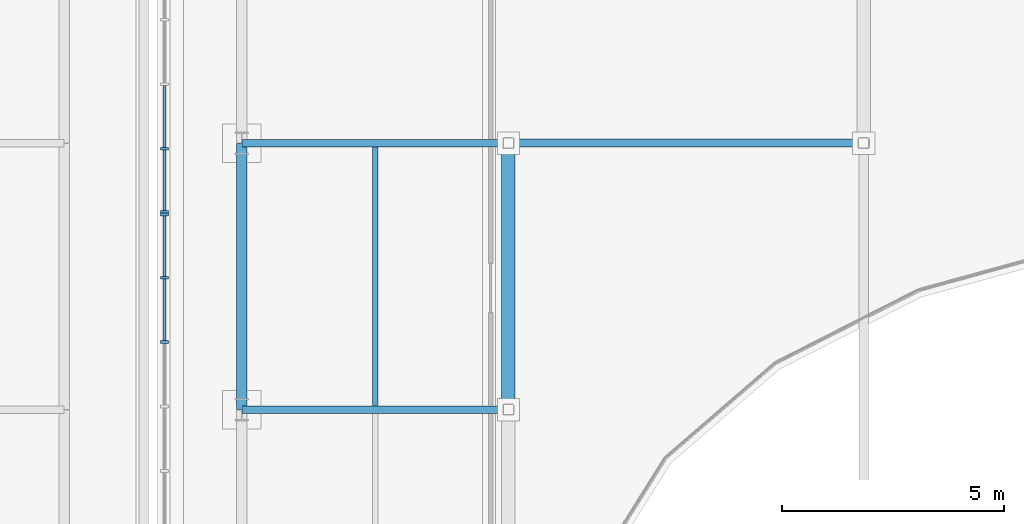
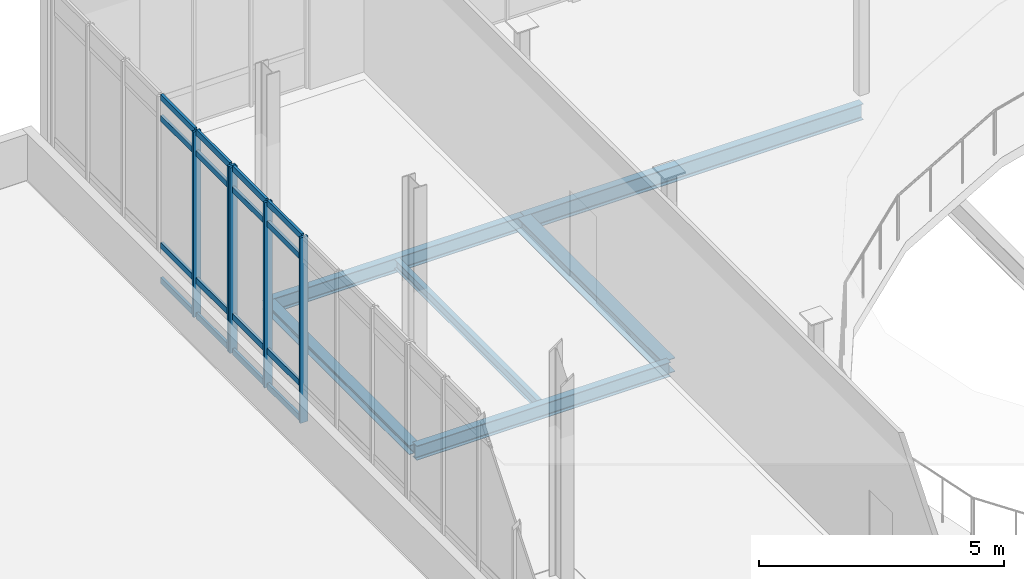
# One storey, part 15 of 86: 21 members, 6 beams, 2 elements without a shape of their own.
"""IFC4 building model written with IfcOpenShell, lengths in metres."""

import ifcopenshell
import ifcopenshell.guid

model = None  # the IFC model being written
_history = None  # IfcOwnerHistory: only IFC2X3 demands one
_inside = {}  # id of a spatial element -> (the spatial element, [elements in it])
_under = {}  # id of a project, library or spatial element -> (it, [spatial elements below it])
_declared = {}  # id of a project -> (the project, [libraries it declares])
_typed = {}  # id of a type object -> (the type object, [elements of that type])
_made_of = {}  # id of a material, layer set ... -> (it, [elements and type objects made of it])


def new_model(schema):
    """Start an empty IFC model of exactly this schema.

    Asked for "IFC4X3", IfcOpenShell would pick the latest addendum, in which some entities
    have other attributes; the version numbers below select the first issue.
    IFC2X3 requires an IfcOwnerHistory on every rooted entity: one is made here for all.
    """
    global model, _history
    if schema == "IFC4X3":
        model = ifcopenshell.file(schema_version=(4, 3, 0, 0))
    else:
        model = ifcopenshell.file(schema=schema)
    _inside.clear()
    _under.clear()
    _declared.clear()
    _typed.clear()
    _made_of.clear()
    _history = None
    if model.schema == "IFC2X3":
        org = make("IfcOrganization", Name="unknown")
        user = make(
            "IfcPersonAndOrganization",
            ThePerson=make("IfcPerson", FamilyName="unknown"),
            TheOrganization=org,
        )
        app = make(
            "IfcApplication",
            ApplicationDeveloper=org,
            Version="unknown",
            ApplicationFullName="unknown",
            ApplicationIdentifier="unknown",
        )
        _history = make(
            "IfcOwnerHistory",
            OwningUser=user,
            OwningApplication=app,
            ChangeAction="ADDED",
            CreationDate=0,
        )
    return model


def make(cls, **values):
    """One entity of the class cls with the attributes given. An attribute that is None is left unset."""
    return model.create_entity(
        cls, **{name: value for name, value in values.items() if value is not None}
    )


def rooted(cls, **values):
    """An entity with a GlobalId (a new one), such as an element, a storey or a relation."""
    return make(cls, GlobalId=ifcopenshell.guid.new(), OwnerHistory=_history, **values)


def si_unit(unit_type, name, prefix=None):
    """IfcSIUnit, for example si_unit("LENGTHUNIT", "METRE", prefix="MILLI")."""
    return make("IfcSIUnit", UnitType=unit_type, Prefix=prefix, Name=name)


def assignment(units):
    """IfcUnitAssignment: the units of a project."""
    return None if units is None else make("IfcUnitAssignment", Units=units)


def point(xyz):
    """IfcCartesianPoint."""
    return None if xyz is None else make("IfcCartesianPoint", Coordinates=xyz)


def direction(xyz):
    """IfcDirection."""
    return None if xyz is None else make("IfcDirection", DirectionRatios=xyz)


def frame(location, z_axis=None, x_axis=None):
    """IfcAxis2Placement3D, a coordinate frame: its origin and axes. An axis left out is left unset."""
    return make(
        "IfcAxis2Placement3D",
        Location=point(location),
        Axis=direction(z_axis),
        RefDirection=direction(x_axis),
    )


def frame_2d(location, x_axis=None):
    """IfcAxis2Placement2D, a coordinate frame in the plane: its origin and x axis."""
    return make(
        "IfcAxis2Placement2D", Location=point(location), RefDirection=direction(x_axis)
    )


def origin():
    """The frame at (0, 0, 0) with its axes left unset."""
    return frame((0.0, 0.0, 0.0))


def origin_2d():
    """The frame at (0, 0) in the plane with its x axis left unset."""
    return frame_2d((0.0, 0.0))


def place(relative_to, where):
    """IfcLocalPlacement: puts the frame where relative to a parent placement (None: the world)."""
    return make(
        "IfcLocalPlacement", PlacementRelTo=relative_to, RelativePlacement=where
    )


def context(
    kind, dimensions, precision=None, world=None, true_north=None, identifier=None
):
    """IfcGeometricRepresentationContext, for example the 3D "Model" context."""
    return make(
        "IfcGeometricRepresentationContext",
        ContextIdentifier=identifier,
        ContextType=kind,
        CoordinateSpaceDimension=dimensions,
        Precision=precision,
        WorldCoordinateSystem=world,
        TrueNorth=true_north,
    )


def subcontext(parent, identifier, kind, view, scale=None):
    """IfcGeometricRepresentationSubContext, for example "Body" below "Model"."""
    return make(
        "IfcGeometricRepresentationSubContext",
        ContextIdentifier=identifier,
        ContextType=kind,
        ParentContext=parent,
        TargetScale=scale,
        TargetView=view,
    )


def project(units=None, contexts=None):
    """IfcProject with its units and contexts."""
    return rooted(
        "IfcProject",
        Name="project",
        RepresentationContexts=contexts,
        UnitsInContext=assignment(units),
    )


def spatial(cls, under=None, at=None, **own):
    """A site, building, storey or space (cls), placed at a placement, below another one or the project."""
    s = rooted(cls, ObjectPlacement=at, **own)
    if under is not None:
        _under.setdefault(under.id(), (under, []))[1].append(s)
    return s


def profile(cls, at=None, kind="AREA", **sizes):
    """A parametric profile (cls). Its sizes go by their IFC names, for example OverallWidth=200.0."""
    return make(cls, ProfileType=kind, Position=at, **sizes)


def rectangle(**sizes):
    """IfcRectangleProfileDef."""
    return profile("IfcRectangleProfileDef", **sizes)


def i_section(**sizes):
    """IfcIShapeProfileDef."""
    return profile("IfcIShapeProfileDef", **sizes)


def extrude(swept, where, along, depth):
    """IfcExtrudedAreaSolid: the profile swept, set in the frame where, extruded along a direction by depth."""
    return make(
        "IfcExtrudedAreaSolid",
        SweptArea=swept,
        Position=where,
        ExtrudedDirection=direction(along),
        Depth=depth,
    )


def shape(context_of_items, identifier, shape_type, items):
    """IfcShapeRepresentation: the items that make up one representation, for example the "Body"."""
    return make(
        "IfcShapeRepresentation",
        ContextOfItems=context_of_items,
        RepresentationIdentifier=identifier,
        RepresentationType=shape_type,
        Items=items,
    )


def material(Name=None, Category=None):
    """IfcMaterial."""
    return make("IfcMaterial", Name=Name, Category=Category)


def material_profile(
    of_material, cross_section, Name=None, Category=None, Priority=None
):
    """IfcMaterialProfile: a cross section and its material."""
    return make(
        "IfcMaterialProfile",
        Name=Name,
        Material=of_material,
        Profile=cross_section,
        Priority=Priority,
        Category=Category,
    )


def profile_set(profiles, Name=None, composite=None):
    """IfcMaterialProfileSet."""
    return make(
        "IfcMaterialProfileSet",
        Name=Name,
        MaterialProfiles=profiles,
        CompositeProfile=composite,
    )


def made_of(thing, what):
    """Note that an element or type object is made of a material, layer set ...; save() writes the relation."""
    if what is not None:
        _made_of.setdefault(what.id(), (what, []))[1].append(thing)
    return thing


def type_object(cls, material=None, **own):
    """A type object (cls), such as IfcWallType, which elements share."""
    return made_of(rooted(cls, **own), material)


def element(
    cls,
    number,
    at=None,
    inside=None,
    cuts=None,
    type_object=None,
    material=None,
    context=None,
    identifier="Body",
    shape_type=None,
    held_by="IfcProductDefinitionShape",
    body=None,
    shapes=None,
    **own,
):
    """One element of the class cls, such as IfcWall. Its Tag is "e" and its number.

    at: its placement. inside: the storey or other place that contains it. cuts: it is an
    opening in that element (IfcRelVoidsElement). A single representation is given by context,
    identifier, shape_type and body (its items); several are given by shapes. held_by: the class
    of the entity that holds the representations. save() writes the other relations.
    """
    e = rooted(cls, Tag="e%d" % number, ObjectPlacement=at, **own)
    if body is not None:
        shapes = [shape(context, identifier, shape_type, body)]
    if shapes is not None:
        e.Representation = make(held_by, Representations=shapes)
    if inside is not None:
        _inside.setdefault(inside.id(), (inside, []))[1].append(e)
    if cuts is not None:
        rooted(
            "IfcRelVoidsElement", RelatingBuildingElement=cuts, RelatedOpeningElement=e
        )
    if type_object is not None:
        _typed.setdefault(type_object.id(), (type_object, []))[1].append(e)
    return made_of(e, material)


def aggregate(whole, parts):
    """IfcRelAggregates: a whole, such as a stair, and the parts it consists of."""
    return rooted("IfcRelAggregates", RelatingObject=whole, RelatedObjects=parts)


def save(model, path):
    """Write the relations noted so far, then the file.

    IfcRelAggregates (storeys below a building ...), IfcRelContainedInSpatialStructure (elements
    in a storey), IfcRelDefinesByType, IfcRelAssociatesMaterial and IfcRelDeclares: one each for
    every whole, place, type object, material and project.
    """
    for whole, parts in _under.values():
        aggregate(whole, parts)
    for where, things in _inside.values():
        rooted(
            "IfcRelContainedInSpatialStructure",
            RelatedElements=things,
            RelatingStructure=where,
        )
    for kind, things in _typed.values():
        rooted("IfcRelDefinesByType", RelatedObjects=things, RelatingType=kind)
    for what, things in _made_of.values():
        rooted("IfcRelAssociatesMaterial", RelatedObjects=things, RelatingMaterial=what)
    for by, libraries in _declared.values():
        rooted("IfcRelDeclares", RelatingContext=by, RelatedDefinitions=libraries)
    model.write(path)


model = new_model("IFC4")

# Units and contexts
model_context = context("Model", 3, precision=1e-05, world=origin(), true_north=direction((0.0, 1.0)))
body_context = subcontext(model_context, "Body", "Model", "MODEL_VIEW")
ifc_project = project(units=[si_unit("LENGTHUNIT", "METRE"), si_unit("AREAUNIT", "SQUARE_METRE"), si_unit("VOLUMEUNIT", "CUBIC_METRE"), si_unit("PLANEANGLEUNIT", "RADIAN"), si_unit("MASSUNIT", "GRAM", prefix="KILO")], contexts=[model_context])

# Site, building, storey
site_placement = place(None, origin())
site = spatial("IfcSite", under=ifc_project, at=site_placement, CompositionType="ELEMENT")
building_placement = place(site_placement, origin())
building = spatial("IfcBuilding", under=site, at=building_placement, Name="Cymarion Research Institute", CompositionType="ELEMENT")
storey_placement = place(building_placement, frame((0.0, 0.0, 13.800048828125)))
storey = spatial("IfcBuildingStorey", under=building, at=storey_placement, Name="L03", CompositionType="ELEMENT", Elevation=13.800048828125)

# Curtain wall, members
ifc_material_1 = material(Name="Anodised aluminium unitised curtain wall with Low-E glazing", Category="aluminium")
curtain_wall_type = type_object("IfcCurtainWallType", Name="UNITISED CURTAIN WALL CW34 7260X4620", PredefinedType="NOTDEFINED", material=ifc_material_1)
curtain_wall_1_placement = place(storey_placement, origin())
curtain_wall_1 = element("IfcCurtainWall", 1, at=curtain_wall_1_placement, inside=storey, type_object=curtain_wall_type, Name="L03 V2 unitised curtain wall CW34 #147", PredefinedType="NOTDEFINED")
ifc_material_2 = material(Name="Anodised aluminium framing", Category="aluminium")
ifc_material_profile_1 = material_profile(ifc_material_2, rectangle(XDim=0.06005859375, YDim=0.179931640625, at=origin_2d()), Name="ALU MULLION 60x180")
ifc_profile_set_1 = profile_set([ifc_material_profile_1], Name="Anodised aluminium framing")
member_type_1 = type_object("IfcMemberType", Name="CURTAIN WALL MULLION ML01 60X180", PredefinedType="MULLION", material=ifc_profile_set_1)
member_1_placement = place(storey_placement, frame((54.860107421875, 35.375244140625, 0.0), z_axis=(0.0, 0.0, 1.0), x_axis=(0.0, -1.0, 0.0)))
member_1 = element("IfcMember", 2, at=member_1_placement, type_object=member_type_1, Name="CW34 mullion 5", PredefinedType="MULLION", context=body_context, shape_type="SweptSolid", body=[
    extrude(rectangle(XDim=0.06005859375, YDim=0.179931640625, at=origin_2d()), origin(), (0.0, 0.0, 1.0), 4.619873046875),
])
member_2_placement = place(storey_placement, frame((54.860107421875, 33.9541015625, 0.0), z_axis=(0.0, 0.0, 1.0), x_axis=(0.0, -1.0, 0.0)))
member_2 = element("IfcMember", 3, at=member_2_placement, type_object=member_type_1, Name="CW34 mullion 6", PredefinedType="MULLION", context=body_context, shape_type="SweptSolid", body=[
    extrude(rectangle(XDim=0.06005859375, YDim=0.179931640625, at=origin_2d()), origin(), (0.0, 0.0, 1.0), 4.619873046875),
])

curtain_wall_2_placement = place(storey_placement, origin())
curtain_wall_2 = element("IfcCurtainWall", 4, at=curtain_wall_2_placement, inside=storey, type_object=curtain_wall_type, Name="L03 V2 unitised curtain wall CW34 #148", PredefinedType="NOTDEFINED")
member_3_placement = place(storey_placement, frame((54.860107421875, 33.89404296875, 0.0), z_axis=(0.0, 0.0, 1.0), x_axis=(0.0, -1.0, 0.0)))
member_3 = element("IfcMember", 5, at=member_3_placement, type_object=member_type_1, Name="CW34 mullion 1", PredefinedType="MULLION", context=body_context, shape_type="SweptSolid", body=[
    extrude(rectangle(XDim=0.06005859375, YDim=0.179931640625, at=origin_2d()), origin(), (0.0, 0.0, 1.0), 4.619873046875),
])
member_4_placement = place(storey_placement, frame((54.860107421875, 32.472900390625, 0.0), z_axis=(0.0, 0.0, 1.0), x_axis=(0.0, -1.0, 0.0)))
member_4 = element("IfcMember", 6, at=member_4_placement, type_object=member_type_1, Name="CW34 mullion 2", PredefinedType="MULLION", context=body_context, shape_type="SweptSolid", body=[
    extrude(rectangle(XDim=0.06005859375, YDim=0.179931640625, at=origin_2d()), origin(), (0.0, 0.0, 1.0), 4.619873046875),
])
member_5_placement = place(storey_placement, frame((54.860107421875, 31.021484375, 0.0), z_axis=(0.0, 0.0, 1.0), x_axis=(0.0, -1.0, 0.0)))
member_5 = element("IfcMember", 7, at=member_5_placement, type_object=member_type_1, Name="CW34 mullion 3", PredefinedType="MULLION", context=body_context, shape_type="SweptSolid", body=[
    extrude(rectangle(XDim=0.06005859375, YDim=0.179931640625, at=origin_2d()), origin(), (0.0, 0.0, 1.0), 4.619873046875),
])

# Member
ifc_material_profile_2 = material_profile(ifc_material_2, rectangle(XDim=0.06005859375, YDim=0.14990234375, at=origin_2d()), Name="ALU TRANSOM 60x150")
ifc_profile_set_2 = profile_set([ifc_material_profile_2], Name="Anodised aluminium framing")
member_type_2 = type_object("IfcMemberType", Name="CURTAIN WALL TRANSOM TR01 60X150", PredefinedType="USERDEFINED", material=ifc_profile_set_2)
member_6_placement = place(storey_placement, frame((54.860107421875, 36.79638671875, 0.030029296875), z_axis=(0.0, -1.0, 0.0), x_axis=(1.0, 0.0, 0.0)))
member_6 = element("IfcMember", 8, at=member_6_placement, type_object=member_type_2, Name="CW34 transom 4.1", ObjectType="TRANSOM", PredefinedType="USERDEFINED", context=body_context, shape_type="SweptSolid", body=[
    extrude(rectangle(XDim=0.06005859375, YDim=0.14990234375, at=origin_2d()), origin(), (0.0, 0.0, 1.0), 1.39111328125),
])

member_7_placement = place(storey_placement, frame((54.860107421875, 36.79638671875, 0.89990234375), z_axis=(0.0, -1.0, 0.0), x_axis=(1.0, 0.0, 0.0)))
member_7 = element("IfcMember", 9, at=member_7_placement, type_object=member_type_2, Name="CW34 transom 4.2", ObjectType="TRANSOM", PredefinedType="USERDEFINED", context=body_context, shape_type="SweptSolid", body=[
    extrude(rectangle(XDim=0.06005859375, YDim=0.14990234375, at=origin_2d()), origin(), (0.0, 0.0, 1.0), 1.39111328125),
])

member_8_placement = place(storey_placement, frame((54.860107421875, 36.79638671875, 4.070068359375), z_axis=(0.0, -1.0, 0.0), x_axis=(1.0, 0.0, 0.0)))
member_8 = element("IfcMember", 10, at=member_8_placement, type_object=member_type_2, Name="CW34 transom 4.3", ObjectType="TRANSOM", PredefinedType="USERDEFINED", context=body_context, shape_type="SweptSolid", body=[
    extrude(rectangle(XDim=0.06005859375, YDim=0.14990234375, at=origin_2d()), origin(), (0.0, 0.0, 1.0), 1.39111328125),
])

member_9_placement = place(storey_placement, frame((54.860107421875, 36.79638671875, 4.58984375), z_axis=(0.0, -1.0, 0.0), x_axis=(1.0, 0.0, 0.0)))
member_9 = element("IfcMember", 11, at=member_9_placement, type_object=member_type_2, Name="CW34 transom 4.4", ObjectType="TRANSOM", PredefinedType="USERDEFINED", context=body_context, shape_type="SweptSolid", body=[
    extrude(rectangle(XDim=0.06005859375, YDim=0.14990234375, at=origin_2d()), origin(), (0.0, 0.0, 1.0), 1.39111328125),
])

member_10_placement = place(storey_placement, frame((54.860107421875, 35.34521484375, 0.030029296875), z_axis=(0.0, -1.0, 0.0), x_axis=(1.0, 0.0, 0.0)))
member_10 = element("IfcMember", 12, at=member_10_placement, type_object=member_type_2, Name="CW34 transom 5.1", ObjectType="TRANSOM", PredefinedType="USERDEFINED", context=body_context, shape_type="SweptSolid", body=[
    extrude(rectangle(XDim=0.06005859375, YDim=0.14990234375, at=origin_2d()), origin(), (0.0, 0.0, 1.0), 1.361328125),
])

member_11_placement = place(storey_placement, frame((54.860107421875, 35.34521484375, 0.89990234375), z_axis=(0.0, -1.0, 0.0), x_axis=(1.0, 0.0, 0.0)))
member_11 = element("IfcMember", 13, at=member_11_placement, type_object=member_type_2, Name="CW34 transom 5.2", ObjectType="TRANSOM", PredefinedType="USERDEFINED", context=body_context, shape_type="SweptSolid", body=[
    extrude(rectangle(XDim=0.06005859375, YDim=0.14990234375, at=origin_2d()), origin(), (0.0, 0.0, 1.0), 1.361328125),
])

member_12_placement = place(storey_placement, frame((54.860107421875, 35.34521484375, 4.070068359375), z_axis=(0.0, -1.0, 0.0), x_axis=(1.0, 0.0, 0.0)))
member_12 = element("IfcMember", 14, at=member_12_placement, type_object=member_type_2, Name="CW34 transom 5.3", ObjectType="TRANSOM", PredefinedType="USERDEFINED", context=body_context, shape_type="SweptSolid", body=[
    extrude(rectangle(XDim=0.06005859375, YDim=0.14990234375, at=origin_2d()), origin(), (0.0, 0.0, 1.0), 1.361328125),
])

member_13_placement = place(storey_placement, frame((54.860107421875, 35.34521484375, 4.58984375), z_axis=(0.0, -1.0, 0.0), x_axis=(1.0, 0.0, 0.0)))
member_13 = element("IfcMember", 15, at=member_13_placement, type_object=member_type_2, Name="CW34 transom 5.4", ObjectType="TRANSOM", PredefinedType="USERDEFINED", context=body_context, shape_type="SweptSolid", body=[
    extrude(rectangle(XDim=0.06005859375, YDim=0.14990234375, at=origin_2d()), origin(), (0.0, 0.0, 1.0), 1.361328125),
])

aggregate(curtain_wall_1, [member_1, member_2, member_6, member_7, member_8, member_9, member_10, member_11, member_12, member_13])

member_14_placement = place(storey_placement, frame((54.860107421875, 33.864013671875, 0.030029296875), z_axis=(0.0, -1.0, 0.0), x_axis=(1.0, 0.0, 0.0)))
member_14 = element("IfcMember", 16, at=member_14_placement, type_object=member_type_2, Name="CW34 transom 1.1", ObjectType="TRANSOM", PredefinedType="USERDEFINED", context=body_context, shape_type="SweptSolid", body=[
    extrude(rectangle(XDim=0.06005859375, YDim=0.14990234375, at=origin_2d()), origin(), (0.0, 0.0, 1.0), 1.361328125),
])

member_15_placement = place(storey_placement, frame((54.860107421875, 33.864013671875, 0.89990234375), z_axis=(0.0, -1.0, 0.0), x_axis=(1.0, 0.0, 0.0)))
member_15 = element("IfcMember", 17, at=member_15_placement, type_object=member_type_2, Name="CW34 transom 1.2", ObjectType="TRANSOM", PredefinedType="USERDEFINED", context=body_context, shape_type="SweptSolid", body=[
    extrude(rectangle(XDim=0.06005859375, YDim=0.14990234375, at=origin_2d()), origin(), (0.0, 0.0, 1.0), 1.361328125),
])

member_16_placement = place(storey_placement, frame((54.860107421875, 33.864013671875, 4.070068359375), z_axis=(0.0, -1.0, 0.0), x_axis=(1.0, 0.0, 0.0)))
member_16 = element("IfcMember", 18, at=member_16_placement, type_object=member_type_2, Name="CW34 transom 1.3", ObjectType="TRANSOM", PredefinedType="USERDEFINED", context=body_context, shape_type="SweptSolid", body=[
    extrude(rectangle(XDim=0.06005859375, YDim=0.14990234375, at=origin_2d()), origin(), (0.0, 0.0, 1.0), 1.361328125),
])

member_17_placement = place(storey_placement, frame((54.860107421875, 33.864013671875, 4.58984375), z_axis=(0.0, -1.0, 0.0), x_axis=(1.0, 0.0, 0.0)))
member_17 = element("IfcMember", 19, at=member_17_placement, type_object=member_type_2, Name="CW34 transom 1.4", ObjectType="TRANSOM", PredefinedType="USERDEFINED", context=body_context, shape_type="SweptSolid", body=[
    extrude(rectangle(XDim=0.06005859375, YDim=0.14990234375, at=origin_2d()), origin(), (0.0, 0.0, 1.0), 1.361328125),
])

member_18_placement = place(storey_placement, frame((54.860107421875, 32.44287109375, 0.030029296875), z_axis=(0.0, -1.0, 0.0), x_axis=(1.0, 0.0, 0.0)))
member_18 = element("IfcMember", 20, at=member_18_placement, type_object=member_type_2, Name="CW34 transom 2.1", ObjectType="TRANSOM", PredefinedType="USERDEFINED", context=body_context, shape_type="SweptSolid", body=[
    extrude(rectangle(XDim=0.06005859375, YDim=0.14990234375, at=origin_2d()), origin(), (0.0, 0.0, 1.0), 1.391357421875),
])

member_19_placement = place(storey_placement, frame((54.860107421875, 32.44287109375, 0.89990234375), z_axis=(0.0, -1.0, 0.0), x_axis=(1.0, 0.0, 0.0)))
member_19 = element("IfcMember", 21, at=member_19_placement, type_object=member_type_2, Name="CW34 transom 2.2", ObjectType="TRANSOM", PredefinedType="USERDEFINED", context=body_context, shape_type="SweptSolid", body=[
    extrude(rectangle(XDim=0.06005859375, YDim=0.14990234375, at=origin_2d()), origin(), (0.0, 0.0, 1.0), 1.391357421875),
])

member_20_placement = place(storey_placement, frame((54.860107421875, 32.44287109375, 4.070068359375), z_axis=(0.0, -1.0, 0.0), x_axis=(1.0, 0.0, 0.0)))
member_20 = element("IfcMember", 22, at=member_20_placement, type_object=member_type_2, Name="CW34 transom 2.3", ObjectType="TRANSOM", PredefinedType="USERDEFINED", context=body_context, shape_type="SweptSolid", body=[
    extrude(rectangle(XDim=0.06005859375, YDim=0.14990234375, at=origin_2d()), origin(), (0.0, 0.0, 1.0), 1.391357421875),
])

member_21_placement = place(storey_placement, frame((54.860107421875, 32.44287109375, 4.58984375), z_axis=(0.0, -1.0, 0.0), x_axis=(1.0, 0.0, 0.0)))
member_21 = element("IfcMember", 23, at=member_21_placement, type_object=member_type_2, Name="CW34 transom 2.4", ObjectType="TRANSOM", PredefinedType="USERDEFINED", context=body_context, shape_type="SweptSolid", body=[
    extrude(rectangle(XDim=0.06005859375, YDim=0.14990234375, at=origin_2d()), origin(), (0.0, 0.0, 1.0), 1.391357421875),
])

aggregate(curtain_wall_2, [member_3, member_4, member_5, member_14, member_15, member_16, member_17, member_18, member_19, member_20, member_21])

# Beams
ifc_material_3 = material(Name="Steel S355", Category="steel")
ifc_material_profile_3 = material_profile(ifc_material_3, i_section(OverallWidth=0.179931640625, OverallDepth=0.39990234375, WebThickness=0.008544921875, FlangeThickness=0.013427734375, FilletRadius=0.02099609375, at=origin_2d()), Name="IPE 400")
ifc_profile_set_3 = profile_set([ifc_material_profile_3], Name="Steel S355")
beam_type_1 = type_object("IfcBeamType", Name="PRIMARY GIRDER BM05 IPE 400", PredefinedType="BEAM", material=ifc_profile_set_3)
beam_1_placement = place(storey_placement, frame((62.60595703125, 35.5, -0.449951171875), z_axis=(1.0, 0.0, 0.0), x_axis=(0.0, 1.0, 0.0)))
element("IfcBeam", 24, at=beam_1_placement, inside=storey, type_object=beam_type_1, Name="L03 V2 girder BM05 #1301", PredefinedType="BEAM", context=body_context, shape_type="SweptSolid", body=[
    extrude(i_section(OverallWidth=0.179931640625, OverallDepth=0.39990234375, WebThickness=0.008544921875, FlangeThickness=0.013427734375, FilletRadius=0.02099609375, at=origin_2d()), origin(), (0.0, 0.0, 1.0), 7.988037109375),
])
ifc_material_profile_4 = material_profile(ifc_material_3, i_section(OverallWidth=0.169921875, OverallDepth=0.360107421875, WebThickness=0.008056640625, FlangeThickness=0.0126953125, FilletRadius=0.01806640625, at=origin_2d()), Name="IPE 360")
ifc_profile_set_4 = profile_set([ifc_material_profile_4], Name="Steel S355")
beam_type_2 = type_object("IfcBeamType", Name="PRIMARY GIRDER BM06 IPE 360", PredefinedType="BEAM", material=ifc_profile_set_4)
for number, where, z_axis, x_axis, name in (
    (25, (56.60595703125, 29.5, -0.429931640625), (1.0, 0.0, 0.0), (0.0, 1.0, 0.0), "L03 V2 girder BM06 #1298"),
    (26, (56.60595703125, 35.5, -0.429931640625), (1.0, 0.0, 0.0), (0.0, 1.0, 0.0), "L03 V2 girder BM06 #1300"),
):
    element("IfcBeam", number, at=place(storey_placement, frame(where, z_axis=z_axis, x_axis=x_axis)), inside=storey, type_object=beam_type_2, Name=name, PredefinedType="BEAM", context=body_context, shape_type="SweptSolid", body=[
        extrude(i_section(OverallWidth=0.169921875, OverallDepth=0.360107421875, WebThickness=0.008056640625, FlangeThickness=0.0126953125, FilletRadius=0.01806640625, at=origin_2d()), origin(), (0.0, 0.0, 1.0), 5.988037109375),
    ])
ifc_material_profile_5 = material_profile(ifc_material_3, i_section(OverallWidth=0.300048828125, OverallDepth=0.35009765625, WebThickness=0.010009765625, FlangeThickness=0.017578125, FilletRadius=0.027099609375, at=origin_2d()), Name="HEA 360")
ifc_profile_set_5 = profile_set([ifc_material_profile_5], Name="Steel S355")
beam_type_3 = type_object("IfcBeamType", Name="PRIMARY GIRDER BM12 HEA 360", PredefinedType="BEAM", material=ifc_profile_set_5)
beam_2_placement = place(storey_placement, frame((62.60009765625, 29.506103515625, -0.425048828125), z_axis=(0.0, 1.0, 0.0), x_axis=(-1.0, 0.0, 0.0)))
element("IfcBeam", 27, at=beam_2_placement, inside=storey, type_object=beam_type_3, Name="L03 V2 girder BM12 #1321", PredefinedType="BEAM", context=body_context, shape_type="SweptSolid", body=[
    extrude(i_section(OverallWidth=0.300048828125, OverallDepth=0.35009765625, WebThickness=0.010009765625, FlangeThickness=0.017578125, FilletRadius=0.027099609375, at=origin_2d()), origin(), (0.0, 0.0, 1.0), 5.98779296875),
])
ifc_material_profile_6 = material_profile(ifc_material_3, i_section(OverallWidth=0.1201171875, OverallDepth=0.239990234375, WebThickness=0.006103515625, FlangeThickness=0.009765625, FilletRadius=0.014892578125, at=origin_2d()), Name="IPE 240")
ifc_profile_set_6 = profile_set([ifc_material_profile_6], Name="Steel S355")
beam_type_4 = type_object("IfcBeamType", Name="SECONDARY JOIST JS04 IPE 240", PredefinedType="JOIST", material=ifc_profile_set_6)
beam_3_placement = place(storey_placement, frame((59.60009765625, 29.589111328125, -0.3701171875), z_axis=(0.0, 1.0, 0.0), x_axis=(-1.0, 0.0, 0.0)))
element("IfcBeam", 28, at=beam_3_placement, inside=storey, type_object=beam_type_4, Name="L03 V2 secondary joist JS04 #1346", PredefinedType="JOIST", context=body_context, shape_type="SweptSolid", body=[
    extrude(i_section(OverallWidth=0.1201171875, OverallDepth=0.239990234375, WebThickness=0.006103515625, FlangeThickness=0.009765625, FilletRadius=0.014892578125, at=origin_2d()), origin(), (0.0, 0.0, 1.0), 5.82177734375),
])
ifc_material_profile_7 = material_profile(ifc_material_3, i_section(OverallWidth=0.239990234375, OverallDepth=0.22998046875, WebThickness=0.007568359375, FlangeThickness=0.011962890625, FilletRadius=0.02099609375, at=origin_2d()), Name="HEA 240")
ifc_profile_set_7 = profile_set([ifc_material_profile_7], Name="Steel S355")
beam_type_5 = type_object("IfcBeamType", Name="SPANDREL BEAM SPB03 HEA 240", PredefinedType="SPANDREL", material=ifc_profile_set_7)
beam_4_placement = place(storey_placement, frame((56.60009765625, 29.506103515625, -0.364990234375), z_axis=(0.0, 1.0, 0.0), x_axis=(-1.0, 0.0, 0.0)))
element("IfcBeam", 29, at=beam_4_placement, inside=storey, type_object=beam_type_5, Name="L03 V2 girder SPB03 #1316", PredefinedType="SPANDREL", context=body_context, shape_type="SweptSolid", body=[
    extrude(i_section(OverallWidth=0.239990234375, OverallDepth=0.22998046875, WebThickness=0.007568359375, FlangeThickness=0.011962890625, FilletRadius=0.02099609375, at=origin_2d()), origin(), (0.0, 0.0, 1.0), 5.98779296875),
])

save(model, "model.ifc")
